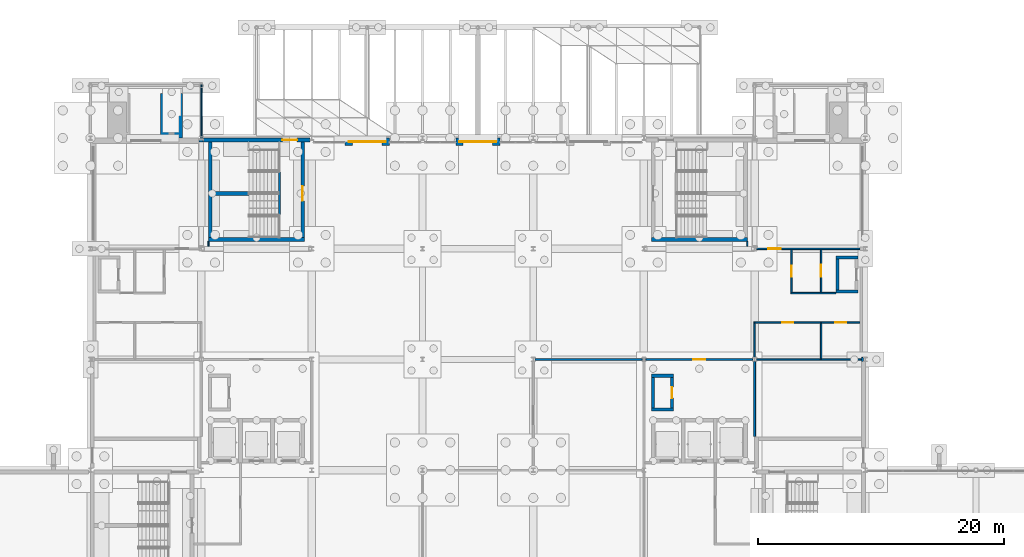
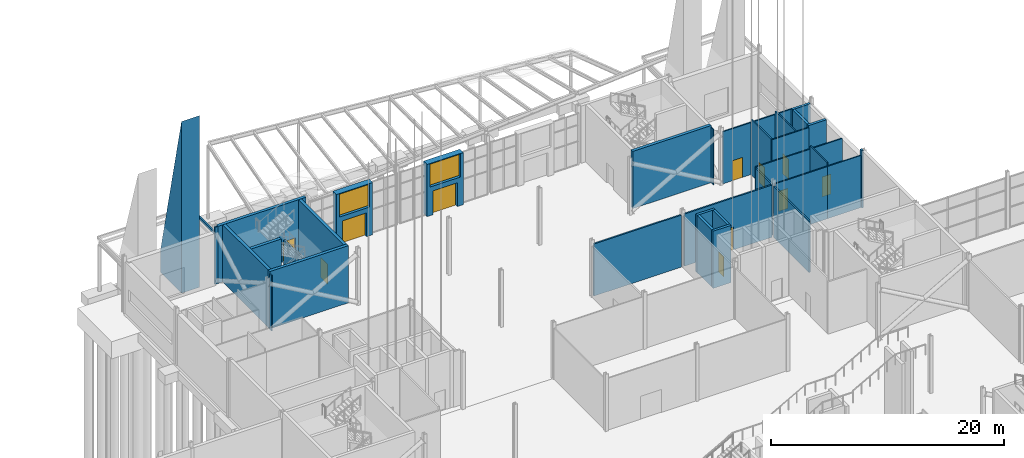
# One storey, part 110 of 139: 34 walls, 11 doors, 2 windows, 13 openings.
"""IFC4 building model written with IfcOpenShell, lengths in metres."""

from ifc_helpers import new_model, si_unit, direction, frame, frame_2d, origin, place, context, subcontext, project, spatial, polyline, rectangle, outline, extrude, material, layer, layer_set, type_object, element, fill, save


model = new_model("IFC4")

# Units and contexts
model_context = context("Model", 3, precision=1e-05, world=origin(), true_north=direction((0.0, 1.0)))
body_context = subcontext(model_context, "Body", "Model", "MODEL_VIEW")
ifc_project = project(units=[si_unit("LENGTHUNIT", "METRE"), si_unit("AREAUNIT", "SQUARE_METRE"), si_unit("VOLUMEUNIT", "CUBIC_METRE"), si_unit("PLANEANGLEUNIT", "RADIAN"), si_unit("MASSUNIT", "GRAM", prefix="KILO")], contexts=[model_context])

# Site, building, storey
site_placement = place(None, origin())
site = spatial("IfcSite", under=ifc_project, at=site_placement, CompositionType="ELEMENT")
building_placement = place(site_placement, origin())
building = spatial("IfcBuilding", under=site, at=building_placement, Name="Shorebreak Coast Museum", CompositionType="ELEMENT")
storey_placement = place(building_placement, origin())
storey = spatial("IfcBuildingStorey", under=building, at=storey_placement, Name="L00", CompositionType="ELEMENT", Elevation=0.0)

# Walls
ifc_material_1 = material(Name="Concrete N50 (50 MPa)", Category="concrete")
ifc_layer_1 = layer(ifc_material_1, 0.14990234375)
ifc_layer_set_1 = layer_set([ifc_layer_1], Name="Concrete N50 (50 MPa)")
wall_type_1 = type_object("IfcWallType", Name="Arcade roof upstand 150", PredefinedType="PARAPET", material=ifc_layer_set_1)
wall_1_placement = place(storey_placement, frame((63.02490234375, 117.0, 5.0), z_axis=(0.0, 0.0, 1.0), x_axis=(0.0, 1.0, 0.0)))
element("IfcWall", 1, at=wall_1_placement, inside=storey, type_object=wall_type_1, Name="Arcade roof upstand north 1 end 2", PredefinedType="PARAPET", context=body_context, shape_type="SweptSolid", body=[
    extrude(rectangle(XDim=4.35009765625, YDim=0.14990234375, at=frame_2d((2.175048828125, 0.0))), origin(), (0.0, 0.0, 1.0), 0.300048828125),
])
ifc_material_2 = material(Name="Concrete N50 (50 MPa)", Category="concrete")
ifc_layer_2 = layer(ifc_material_2, 1.800048828125)
ifc_layer_set_2 = layer_set([ifc_layer_2], Name="Concrete N50 (50 MPa)")
wall_type_2 = type_object("IfcWallType", Name="Buttress pier 1800", PredefinedType="SOLIDWALL", material=ifc_layer_set_2)
wall_2_placement = place(storey_placement, frame((60.60009765625, 117.02490234375, 0.0), z_axis=(0.0, 0.0, 1.0), x_axis=(0.0, 1.0, 0.0)))
element("IfcWall", 2, at=wall_2_placement, inside=storey, type_object=wall_type_2, Name="Buttress pier N30", PredefinedType="SOLIDWALL", context=body_context, shape_type="SweptSolid", body=[
    extrude(outline(polyline([(0.0, 0.0), (3.60009765625, 0.0), (3.60009765625, 2.39990234375), (0.0, 18.0), (0.0, 0.0)])), frame((0.0, 0.89990234375, 0.0), z_axis=(0.0, -1.0, 0.0), x_axis=(1.0, 0.0, 0.0)), (0.0, 0.0, 1.0), 1.800048828125),
])
ifc_material_3 = material(Name="Concrete N50 (50 MPa)", Category="concrete")
ifc_layer_3 = layer(ifc_material_3, 0.136474609375)
ifc_layer_set_3 = layer_set([ifc_layer_3], Name="Concrete N50 (50 MPa)")
wall_type_3 = type_object("IfcWallType", Name="Column closure panel 136", PredefinedType="SOLIDWALL", material=ifc_layer_set_3)
wall_3_placement = place(storey_placement, frame((62.83349609375, 116.768310546875, 0.0), z_axis=(0.0, 0.0, 1.0), x_axis=(1.0, 0.0, 0.0)))
element("IfcWall", 3, at=wall_3_placement, inside=storey, type_object=wall_type_3, Name="Column closure panel L00 N 8P", PredefinedType="SOLIDWALL", context=body_context, shape_type="SweptSolid", body=[
    extrude(rectangle(XDim=0.322021484375, YDim=0.136474609375, at=frame_2d((0.1611328125, 0.0))), origin(), (0.0, 0.0, 1.0), 6.0),
])
ifc_material_4 = material(Name="Concrete N50 (50 MPa)", Category="concrete")
ifc_layer_4 = layer(ifc_material_4, 0.1455078125)
ifc_layer_set_4 = layer_set([ifc_layer_4], Name="Concrete N50 (50 MPa)")
wall_type_4 = type_object("IfcWallType", Name="Column closure panel 146", PredefinedType="SOLIDWALL", material=ifc_layer_set_4)
wall_4_placement = place(storey_placement, frame((116.772705078125, 98.839599609375, 0.0), z_axis=(0.0, 0.0, 1.0), x_axis=(0.0, 1.0, 0.0)))
element("IfcWall", 4, at=wall_4_placement, inside=storey, type_object=wall_type_4, Name="Column closure panel L00 E 14M", PredefinedType="SOLIDWALL", context=body_context, shape_type="SweptSolid", body=[
    extrude(rectangle(XDim=0.322021484375, YDim=0.1455078125, at=frame_2d((0.1611328125, 0.0))), origin(), (0.0, 0.0, 1.0), 6.0),
])

# Wall, openings, door, window
ifc_material_5 = material(Name="Concrete N50 (50 MPa)", Category="concrete")
ifc_layer_5 = layer(ifc_material_5, 0.60009765625)
ifc_layer_set_5 = layer_set([ifc_layer_5], Name="Concrete N50 (50 MPa)")
wall_type_5 = type_object("IfcWallType", Name="Entrance portal panel 600", PredefinedType="SOLIDWALL", material=ifc_layer_set_5)
wall_5_placement = place(storey_placement, frame((74.699951171875, 116.699951171875, 0.0), z_axis=(0.0, 0.0, 1.0), x_axis=(1.0, 0.0, 0.0)))
wall_5 = element("IfcWall", 5, at=wall_5_placement, inside=storey, type_object=wall_type_5, Name="Entrance portal ENT-N", PredefinedType="SOLIDWALL", context=body_context, shape_type="SweptSolid", body=[
    extrude(rectangle(XDim=3.60009765625, YDim=0.60009765625, at=frame_2d((1.800048828125, 0.0))), origin(), (0.0, 0.0, 1.0), 5.46630859375),
])
opening_1_placement = place(wall_5_placement, frame((0.60009765625, 0.0, 0.0)))
opening_1 = element("IfcOpeningElement", 6, at=opening_1_placement, cuts=wall_5, Name="Opening D0909", PredefinedType="OPENING", context=body_context, shape_type="SweptSolid", body=[
    extrude(rectangle(XDim=2.39990234375, YDim=2.5, at=frame_2d((1.199951171875, 1.25))), frame((0.0, 0.31005859375, 0.0), z_axis=(0.0, -1.0, 0.0), x_axis=(1.0, 0.0, 0.0)), (0.0, 0.0, 1.0), 0.6201171875),
])
opening_2_placement = place(wall_5_placement, frame((0.300048828125, 0.0, 3.0)))
opening_2 = element("IfcOpeningElement", 7, at=opening_2_placement, cuts=wall_5, Name="Opening WN0015", PredefinedType="OPENING", context=body_context, shape_type="SweptSolid", body=[
    extrude(rectangle(XDim=3.0, YDim=2.39990234375, at=frame_2d((1.5, 1.199951171875))), frame((0.0, 0.31005859375, 0.0), z_axis=(0.0, -1.0, 0.0), x_axis=(1.0, 0.0, 0.0)), (0.0, 0.0, 1.0), 0.6201171875),
])
ifc_material_6 = material(Name="Aluminium", Category="aluminium")
door_type_1 = type_object("IfcDoorType", Name="Entrance automatic sliding pair 2400 x 2500", OperationType="DOUBLE_DOOR_SLIDING", PredefinedType="DOOR", material=ifc_material_6)
door_1_placement = place(opening_1_placement, origin())
door_1 = element("IfcDoor", 8, at=door_1_placement, inside=storey, type_object=door_type_1, Name="Main entrance ENT-N D0909", OperationType="DOUBLE_DOOR_SLIDING", OverallHeight=2.5, OverallWidth=2.39990234375, PredefinedType="DOOR", context=body_context, shape_type="SweptSolid", body=[
    extrude(rectangle(XDim=2.39990234375, YDim=2.5, at=frame_2d((1.199951171875, 1.25))), frame((0.0, 0.02490234375, 0.0), z_axis=(0.0, -1.0, 0.0), x_axis=(1.0, 0.0, 0.0)), (0.0, 0.0, 1.0), 0.050048828125),
])
fill(opening_1, door_1)
ifc_material_7 = material(Name="Aluminium", Category="aluminium")
window_type = type_object("IfcWindowType", Name="Entrance transom light 3000 x 2400", PartitioningType="SINGLE_PANEL", PredefinedType="WINDOW", material=ifc_material_7)
window_1_placement = place(opening_2_placement, origin())
window_1 = element("IfcWindow", 9, at=window_1_placement, inside=storey, type_object=window_type, Name="Window WN0015", OverallHeight=2.39990234375, OverallWidth=3.0, PartitioningType="SINGLE_PANEL", PredefinedType="WINDOW", context=body_context, shape_type="SweptSolid", body=[
    extrude(rectangle(XDim=3.0, YDim=2.39990234375, at=frame_2d((1.5, 1.199951171875))), frame((0.0, 0.030029296875, 0.0), z_axis=(0.0, -1.0, 0.0), x_axis=(1.0, 0.0, 0.0)), (0.0, 0.0, 1.0), 0.06005859375),
])
fill(opening_2, window_1)

wall_6_placement = place(storey_placement, frame((83.699951171875, 116.699951171875, 0.0), z_axis=(0.0, 0.0, 1.0), x_axis=(1.0, 0.0, 0.0)))
wall_6 = element("IfcWall", 10, at=wall_6_placement, inside=storey, type_object=wall_type_5, Name="Entrance portal ENT-N", PredefinedType="SOLIDWALL", context=body_context, shape_type="SweptSolid", body=[
    extrude(rectangle(XDim=3.60009765625, YDim=0.60009765625, at=frame_2d((1.800048828125, 0.0))), origin(), (0.0, 0.0, 1.0), 5.46630859375),
])
opening_3_placement = place(wall_6_placement, frame((0.60009765625, 0.0, 0.0)))
opening_3 = element("IfcOpeningElement", 11, at=opening_3_placement, cuts=wall_6, Name="Opening D0910", PredefinedType="OPENING", context=body_context, shape_type="SweptSolid", body=[
    extrude(rectangle(XDim=2.39990234375, YDim=2.5, at=frame_2d((1.199951171875, 1.25))), frame((0.0, 0.31005859375, 0.0), z_axis=(0.0, -1.0, 0.0), x_axis=(1.0, 0.0, 0.0)), (0.0, 0.0, 1.0), 0.6201171875),
])
opening_4_placement = place(wall_6_placement, frame((0.300048828125, 0.0, 3.0)))
opening_4 = element("IfcOpeningElement", 12, at=opening_4_placement, cuts=wall_6, Name="Opening WN0016", PredefinedType="OPENING", context=body_context, shape_type="SweptSolid", body=[
    extrude(rectangle(XDim=3.0, YDim=2.39990234375, at=frame_2d((1.5, 1.199951171875))), frame((0.0, 0.31005859375, 0.0), z_axis=(0.0, -1.0, 0.0), x_axis=(1.0, 0.0, 0.0)), (0.0, 0.0, 1.0), 0.6201171875),
])
door_2_placement = place(opening_3_placement, origin())
door_2 = element("IfcDoor", 13, at=door_2_placement, inside=storey, type_object=door_type_1, Name="Main entrance ENT-N D0910", OperationType="DOUBLE_DOOR_SLIDING", OverallHeight=2.5, OverallWidth=2.39990234375, PredefinedType="DOOR", context=body_context, shape_type="SweptSolid", body=[
    extrude(rectangle(XDim=2.39990234375, YDim=2.5, at=frame_2d((1.199951171875, 1.25))), frame((0.0, 0.02490234375, 0.0), z_axis=(0.0, -1.0, 0.0), x_axis=(1.0, 0.0, 0.0)), (0.0, 0.0, 1.0), 0.050048828125),
])
fill(opening_3, door_2)
window_2_placement = place(opening_4_placement, origin())
window_2 = element("IfcWindow", 14, at=window_2_placement, inside=storey, type_object=window_type, Name="Window WN0016", OverallHeight=2.39990234375, OverallWidth=3.0, PartitioningType="SINGLE_PANEL", PredefinedType="WINDOW", context=body_context, shape_type="SweptSolid", body=[
    extrude(rectangle(XDim=3.0, YDim=2.39990234375, at=frame_2d((1.5, 1.199951171875))), frame((0.0, 0.030029296875, 0.0), z_axis=(0.0, -1.0, 0.0), x_axis=(1.0, 0.0, 0.0)), (0.0, 0.0, 1.0), 0.06005859375),
])
fill(opening_4, window_2)

# Wall
ifc_material_8 = material(Name="Plasterboard on steel stud", Category="steel")
ifc_layer_6 = layer(ifc_material_8, 0.14990234375)
ifc_layer_set_6 = layer_set([ifc_layer_6], Name="Plasterboard on steel stud")
wall_type_6 = type_object("IfcWallType", Name="Fire partition 150", PredefinedType="PARTITIONING", material=ifc_layer_set_6)
wall_7_placement = place(storey_placement, frame((90.154541015625, 99.0, 0.0), z_axis=(0.0, 0.0, 1.0), x_axis=(1.0, 0.0, 0.0)))
element("IfcWall", 15, at=wall_7_placement, inside=storey, type_object=wall_type_6, Name="Partition L00-074", PredefinedType="PARTITIONING", context=body_context, shape_type="SweptSolid", body=[
    extrude(rectangle(XDim=8.69091796875, YDim=0.14990234375, at=frame_2d((4.345458984375, 0.0))), origin(), (0.0, 0.0, 1.0), 5.46630859375),
])

# Wall, opening, door
wall_8_placement = place(storey_placement, frame((99.154541015625, 99.0, 0.0), z_axis=(0.0, 0.0, 1.0), x_axis=(1.0, 0.0, 0.0)))
wall_8 = element("IfcWall", 16, at=wall_8_placement, inside=storey, type_object=wall_type_6, Name="Partition L00-075", PredefinedType="PARTITIONING", context=body_context, shape_type="SweptSolid", body=[
    extrude(rectangle(XDim=8.69091796875, YDim=0.14990234375, at=frame_2d((4.345458984375, 0.0))), origin(), (0.0, 0.0, 1.0), 5.46630859375),
])
opening_5_placement = place(wall_8_placement, frame((3.85009765625, 0.0, 0.0)))
opening_5 = element("IfcOpeningElement", 17, at=opening_5_placement, cuts=wall_8, Name="Opening D0047", PredefinedType="OPENING", context=body_context, shape_type="SweptSolid", body=[
    extrude(rectangle(XDim=1.0, YDim=2.39990234375, at=frame_2d((0.5, 1.199951171875))), frame((0.0, 0.0849609375, 0.0), z_axis=(0.0, -1.0, 0.0), x_axis=(1.0, 0.0, 0.0)), (0.0, 0.0, 1.0), 0.169921875),
])
ifc_material_9 = material(Name="Steel", Category="steel")
door_type_2 = type_object("IfcDoorType", Name="Fire door 1000x2400 60", OperationType="SINGLE_SWING_LEFT", PredefinedType="DOOR", material=ifc_material_9)
door_3_placement = place(opening_5_placement, origin())
door_3 = element("IfcDoor", 18, at=door_3_placement, inside=storey, type_object=door_type_2, Name="Door D0047 Lift Services Room E", OperationType="SINGLE_SWING_RIGHT", OverallHeight=2.39990234375, OverallWidth=1.0, PredefinedType="DOOR", context=body_context, shape_type="SweptSolid", body=[
    extrude(rectangle(XDim=1.0, YDim=2.39990234375, at=frame_2d((0.5, 1.199951171875))), frame((0.0, 0.02490234375, 0.0), z_axis=(0.0, -1.0, 0.0), x_axis=(1.0, 0.0, 0.0)), (0.0, 0.0, 1.0), 0.050048828125),
])
fill(opening_5, door_3)

# Walls
wall_9_placement = place(storey_placement, frame((108.0, 92.75, 0.0), z_axis=(0.0, 0.0, 1.0), x_axis=(0.0, 1.0, 0.0)))
element("IfcWall", 19, at=wall_9_placement, inside=storey, type_object=wall_type_6, Name="Partition L00-153", PredefinedType="PARTITIONING", context=body_context, shape_type="SweptSolid", body=[
    extrude(rectangle(XDim=6.089599609375, YDim=0.14990234375, at=frame_2d((3.044921875, 0.0))), origin(), (0.0, 0.0, 1.0), 5.364501953125),
])
ifc_material_10 = material(Name="Plasterboard on steel stud", Category="steel")
ifc_layer_7 = layer(ifc_material_10, 0.10009765625)
ifc_layer_set_7 = layer_set([ifc_layer_7], Name="Plasterboard on steel stud")
wall_type_7 = type_object("IfcWallType", Name="Partition 100", PredefinedType="PARTITIONING", material=ifc_layer_set_7)
for number, where, z_axis, x_axis, name in (
    (20, (63.60009765625, 108.219970703125, 0.0), (0.0, 0.0, 1.0), (0.0, 1.0, 0.0), "Partition L00-107"),
    (21, (107.39990234375, 108.219970703125, 0.0), (0.0, 0.0, 1.0), (0.0, 1.0, 0.0), "Partition L00-148"),
):
    element("IfcWall", number, at=place(storey_placement, frame(where, z_axis=z_axis, x_axis=x_axis)), inside=storey, type_object=wall_type_7, Name=name, PredefinedType="PARTITIONING", context=body_context, shape_type="SweptSolid", body=[
        extrude(rectangle(XDim=0.380126953125, YDim=0.10009765625, at=frame_2d((0.18994140625, 0.0))), origin(), (0.0, 0.0, 1.0), 5.824951171875),
    ])
ifc_material_11 = material(Name="Plasterboard on steel stud", Category="steel")
ifc_layer_8 = layer(ifc_material_11, 0.125)
ifc_layer_set_8 = layer_set([ifc_layer_8], Name="Plasterboard on steel stud")
wall_type_8 = type_object("IfcWallType", Name="Partition 125", PredefinedType="PARTITIONING", material=ifc_layer_set_8)
wall_10_placement = place(storey_placement, frame((108.154541015625, 99.0, 0.0), z_axis=(0.0, 0.0, 1.0), x_axis=(1.0, 0.0, 0.0)))
element("IfcWall", 22, at=wall_10_placement, inside=storey, type_object=wall_type_8, Name="Partition L00-076", PredefinedType="PARTITIONING", context=body_context, shape_type="SweptSolid", body=[
    extrude(rectangle(XDim=5.307373046875, YDim=0.125, at=frame_2d((2.65380859375, 0.0))), origin(), (0.0, 0.0, 1.0), 5.46630859375),
])
wall_11_placement = place(storey_placement, frame((113.337890625, 99.0, 0.0), z_axis=(0.0, 0.0, 1.0), x_axis=(1.0, 0.0, 0.0)))
element("IfcWall", 23, at=wall_11_placement, inside=storey, type_object=wall_type_8, Name="Partition L00-077", PredefinedType="PARTITIONING", context=body_context, shape_type="SweptSolid", body=[
    extrude(rectangle(XDim=3.31201171875, YDim=0.125, at=frame_2d((1.656005859375, 0.0))), origin(), (0.0, 0.0, 1.0), 5.46630859375),
])

# Wall, openings, doors
wall_12_placement = place(storey_placement, frame((107.9375, 102.0, 0.0), z_axis=(0.0, 0.0, 1.0), x_axis=(1.0, 0.0, 0.0)))
wall_12 = element("IfcWall", 24, at=wall_12_placement, inside=storey, type_object=wall_type_8, Name="Partition L00-079", PredefinedType="PARTITIONING", context=body_context, shape_type="SweptSolid", body=[
    extrude(rectangle(XDim=8.612548828125, YDim=0.125, at=frame_2d((4.30615234375, 0.0))), origin(), (0.0, 0.0, 1.0), 5.472900390625),
])
opening_6_placement = place(wall_12_placement, frame((6.612548828125, 0.0, 0.0)))
opening_6 = element("IfcOpeningElement", 25, at=opening_6_placement, cuts=wall_12, Name="Opening D0054", PredefinedType="OPENING", context=body_context, shape_type="SweptSolid", body=[
    extrude(rectangle(XDim=0.89990234375, YDim=2.10009765625, at=frame_2d((0.449951171875, 1.050048828125))), frame((0.0, 0.072509765625, 0.0), z_axis=(0.0, -1.0, 0.0), x_axis=(1.0, 0.0, 0.0)), (0.0, 0.0, 1.0), 0.14501953125),
])
opening_7_placement = place(wall_12_placement, frame((2.3125, 0.0, 0.0)))
opening_7 = element("IfcOpeningElement", 26, at=opening_7_placement, cuts=wall_12, Name="Opening D0055", PredefinedType="OPENING", context=body_context, shape_type="SweptSolid", body=[
    extrude(rectangle(XDim=0.89990234375, YDim=2.10009765625, at=frame_2d((0.449951171875, 1.050048828125))), frame((0.0, 0.072509765625, 0.0), z_axis=(0.0, -1.0, 0.0), x_axis=(1.0, 0.0, 0.0)), (0.0, 0.0, 1.0), 0.14501953125),
])
ifc_material_12 = material(Name="Timber", Category="wood")
door_type_3 = type_object("IfcDoorType", Name="Interior door 900x2100", OperationType="SINGLE_SWING_LEFT", PredefinedType="DOOR", material=ifc_material_12)
door_4_placement = place(opening_6_placement, origin())
door_4 = element("IfcDoor", 27, at=door_4_placement, inside=storey, type_object=door_type_3, Name="Door D0054 Accessible WC N2", OperationType="SINGLE_SWING_LEFT", OverallHeight=2.10009765625, OverallWidth=0.89990234375, PredefinedType="DOOR", context=body_context, shape_type="SweptSolid", body=[
    extrude(rectangle(XDim=0.89990234375, YDim=2.10009765625, at=frame_2d((0.449951171875, 1.050048828125))), frame((0.0, 0.02490234375, 0.0), z_axis=(0.0, -1.0, 0.0), x_axis=(1.0, 0.0, 0.0)), (0.0, 0.0, 1.0), 0.050048828125),
])
fill(opening_6, door_4)
door_5_placement = place(opening_7_placement, origin())
door_5 = element("IfcDoor", 28, at=door_5_placement, inside=storey, type_object=door_type_3, Name="Door D0055 Male WC N2", OperationType="SINGLE_SWING_LEFT", OverallHeight=2.10009765625, OverallWidth=0.89990234375, PredefinedType="DOOR", context=body_context, shape_type="SweptSolid", body=[
    extrude(rectangle(XDim=0.89990234375, YDim=2.10009765625, at=frame_2d((0.449951171875, 1.050048828125))), frame((0.0, 0.02490234375, 0.0), z_axis=(0.0, -1.0, 0.0), x_axis=(1.0, 0.0, 0.0)), (0.0, 0.0, 1.0), 0.050048828125),
])
fill(opening_7, door_5)

# Wall
wall_13_placement = place(storey_placement, frame((110.9375, 104.39990234375, 0.0), z_axis=(0.0, 0.0, 1.0), x_axis=(1.0, 0.0, 0.0)))
element("IfcWall", 29, at=wall_13_placement, inside=storey, type_object=wall_type_8, Name="Partition L00-081", PredefinedType="PARTITIONING", context=body_context, shape_type="SweptSolid", body=[
    extrude(rectangle(XDim=3.66259765625, YDim=0.125, at=frame_2d((1.831298828125, 0.0))), origin(), (0.0, 0.0, 1.0), 5.824951171875),
])

# Wall, opening, door
wall_14_placement = place(storey_placement, frame((108.154541015625, 108.0, 0.0), z_axis=(0.0, 0.0, 1.0), x_axis=(1.0, 0.0, 0.0)))
wall_14 = element("IfcWall", 30, at=wall_14_placement, inside=storey, type_object=wall_type_8, Name="Partition L00-083", PredefinedType="PARTITIONING", context=body_context, shape_type="SweptSolid", body=[
    extrude(rectangle(XDim=8.3955078125, YDim=0.125, at=frame_2d((4.19775390625, 0.0))), origin(), (0.0, 0.0, 1.0), 5.46630859375),
])
opening_8_placement = place(wall_14_placement, frame((0.949951171875, 0.0, 0.0)))
opening_8 = element("IfcOpeningElement", 31, at=opening_8_placement, cuts=wall_14, Name="Opening D0057", PredefinedType="OPENING", context=body_context, shape_type="SweptSolid", body=[
    extrude(rectangle(XDim=1.0, YDim=2.10009765625, at=frame_2d((0.5, 1.050048828125))), frame((0.0, 0.072509765625, 0.0), z_axis=(0.0, -1.0, 0.0), x_axis=(1.0, 0.0, 0.0)), (0.0, 0.0, 1.0), 0.14501953125),
])
ifc_material_13 = material(Name="Timber", Category="wood")
door_type_4 = type_object("IfcDoorType", Name="Interior door 1000x2100", OperationType="SINGLE_SWING_LEFT", PredefinedType="DOOR", material=ifc_material_13)
door_6_placement = place(opening_8_placement, origin())
door_6 = element("IfcDoor", 32, at=door_6_placement, inside=storey, type_object=door_type_4, Name="Door D0057 Services Store 0.04", OperationType="SINGLE_SWING_RIGHT", OverallHeight=2.10009765625, OverallWidth=1.0, PredefinedType="DOOR", context=body_context, shape_type="SweptSolid", body=[
    extrude(rectangle(XDim=1.0, YDim=2.10009765625, at=frame_2d((0.5, 1.050048828125))), frame((0.0, 0.02490234375, 0.0), z_axis=(0.0, -1.0, 0.0), x_axis=(1.0, 0.0, 0.0)), (0.0, 0.0, 1.0), 0.050048828125),
])
fill(opening_8, door_6)

# Wall
wall_15_placement = place(storey_placement, frame((108.0, 99.160400390625, 0.0), z_axis=(0.0, 0.0, 1.0), x_axis=(0.0, 1.0, 0.0)))
element("IfcWall", 33, at=wall_15_placement, inside=storey, type_object=wall_type_8, Name="Partition L00-154", PredefinedType="PARTITIONING", context=body_context, shape_type="SweptSolid", body=[
    extrude(rectangle(XDim=2.777099609375, YDim=0.125, at=frame_2d((1.388671875, 0.0))), origin(), (0.0, 0.0, 1.0), 5.364501953125),
])

# Wall, opening, door
wall_16_placement = place(storey_placement, frame((111.0, 104.46240234375, 0.0), z_axis=(0.0, 0.0, 1.0), x_axis=(0.0, 1.0, 0.0)))
wall_16 = element("IfcWall", 34, at=wall_16_placement, inside=storey, type_object=wall_type_8, Name="Partition L00-158", PredefinedType="PARTITIONING", context=body_context, shape_type="SweptSolid", body=[
    extrude(rectangle(XDim=3.47509765625, YDim=0.125, at=frame_2d((1.737548828125, 0.0))), origin(), (0.0, 0.0, 1.0), 5.824951171875),
])
opening_9_placement = place(wall_16_placement, frame((1.25, 0.0, 0.0)))
opening_9 = element("IfcOpeningElement", 35, at=opening_9_placement, cuts=wall_16, Name="Opening D0053", PredefinedType="OPENING", context=body_context, shape_type="SweptSolid", body=[
    extrude(rectangle(XDim=0.89990234375, YDim=2.10009765625, at=frame_2d((0.449951171875, 1.050048828125))), frame((0.0, 0.072509765625, 0.0), z_axis=(0.0, -1.0, 0.0), x_axis=(1.0, 0.0, 0.0)), (0.0, 0.0, 1.0), 0.14501953125),
])
door_7_placement = place(opening_9_placement, origin())
door_7 = element("IfcDoor", 36, at=door_7_placement, inside=storey, type_object=door_type_3, Name="Door D0053 Female WC N2", OperationType="SINGLE_SWING_LEFT", OverallHeight=2.10009765625, OverallWidth=0.89990234375, PredefinedType="DOOR", context=body_context, shape_type="SweptSolid", body=[
    extrude(rectangle(XDim=0.89990234375, YDim=2.10009765625, at=frame_2d((0.449951171875, 1.050048828125))), frame((0.0, 0.02490234375, 0.0), z_axis=(0.0, -1.0, 0.0), x_axis=(1.0, 0.0, 0.0)), (0.0, 0.0, 1.0), 0.050048828125),
])
fill(opening_9, door_7)

# Wall
wall_17_placement = place(storey_placement, frame((113.39990234375, 99.0625, 0.0), z_axis=(0.0, 0.0, 1.0), x_axis=(0.0, 1.0, 0.0)))
element("IfcWall", 37, at=wall_17_placement, inside=storey, type_object=wall_type_8, Name="Partition L00-159", PredefinedType="PARTITIONING", context=body_context, shape_type="SweptSolid", body=[
    extrude(rectangle(XDim=2.875, YDim=0.125, at=frame_2d((1.4375, 0.0))), origin(), (0.0, 0.0, 1.0), 5.824951171875),
])

# Wall, opening, door
wall_18_placement = place(storey_placement, frame((113.39990234375, 104.46240234375, 0.0), z_axis=(0.0, 0.0, 1.0), x_axis=(0.0, 1.0, 0.0)))
wall_18 = element("IfcWall", 38, at=wall_18_placement, inside=storey, type_object=wall_type_8, Name="Partition L00-160", PredefinedType="PARTITIONING", context=body_context, shape_type="SweptSolid", body=[
    extrude(rectangle(XDim=3.47509765625, YDim=0.125, at=frame_2d((1.737548828125, 0.0))), origin(), (0.0, 0.0, 1.0), 5.824951171875),
])
opening_10_placement = place(wall_18_placement, frame((1.25, 0.0, 0.0)))
opening_10 = element("IfcOpeningElement", 39, at=opening_10_placement, cuts=wall_18, Name="Opening D0052", PredefinedType="OPENING", context=body_context, shape_type="SweptSolid", body=[
    extrude(rectangle(XDim=1.0, YDim=2.10009765625, at=frame_2d((0.5, 1.050048828125))), frame((0.0, 0.072509765625, 0.0), z_axis=(0.0, -1.0, 0.0), x_axis=(1.0, 0.0, 0.0)), (0.0, 0.0, 1.0), 0.14501953125),
])
door_8_placement = place(opening_10_placement, origin())
door_8 = element("IfcDoor", 40, at=door_8_placement, inside=storey, type_object=door_type_4, Name="Door D0052 Cleaner Store N2", OperationType="SINGLE_SWING_RIGHT", OverallHeight=2.10009765625, OverallWidth=1.0, PredefinedType="DOOR", context=body_context, shape_type="SweptSolid", body=[
    extrude(rectangle(XDim=1.0, YDim=2.10009765625, at=frame_2d((0.5, 1.050048828125))), frame((0.0, 0.02490234375, 0.0), z_axis=(0.0, -1.0, 0.0), x_axis=(1.0, 0.0, 0.0)), (0.0, 0.0, 1.0), 0.050048828125),
])
fill(opening_10, door_8)

# Walls
ifc_material_14 = material(Name="Concrete N50 (50 MPa)", Category="concrete")
ifc_layer_9 = layer(ifc_material_14, 0.25)
ifc_layer_set_9 = layer_set([ifc_layer_9], Name="Concrete N50 (50 MPa)")
wall_type_9 = type_object("IfcWallType", Name="RC riser wall 250", PredefinedType="STANDARD", material=ifc_layer_set_9)
for number, where, z_axis, x_axis, name in (
    (41, (114.60009765625, 104.52490234375, 0.0), (0.0, 0.0, 1.0), (1.0, 0.0, 0.0), "Riser wall R-WC-N2 L00 S"),
    (42, (114.60009765625, 107.27490234375, 0.0), (0.0, 0.0, 1.0), (1.0, 0.0, 0.0), "Riser wall R-WC-N2 L00 N"),
):
    element("IfcWall", number, at=place(storey_placement, frame(where, z_axis=z_axis, x_axis=x_axis)), inside=storey, type_object=wall_type_9, Name=name, PredefinedType="STANDARD", context=body_context, shape_type="SweptSolid", body=[
        extrude(rectangle(XDim=1.7998046875, YDim=0.25, at=frame_2d((0.89990234375, 0.0))), origin(), (0.0, 0.0, 1.0), 6.0),
    ])
wall_19_placement = place(storey_placement, frame((114.72509765625, 104.64990234375, 0.0), z_axis=(0.0, 0.0, 1.0), x_axis=(0.0, 1.0, 0.0)))
element("IfcWall", 43, at=wall_19_placement, inside=storey, type_object=wall_type_9, Name="Riser wall R-WC-N2 L00 W", PredefinedType="STANDARD", context=body_context, shape_type="SweptSolid", body=[
    extrude(rectangle(XDim=2.5, YDim=0.25, at=frame_2d((1.25, 0.0))), origin(), (0.0, 0.0, 1.0), 6.0),
])
for number, where, z_axis, x_axis, name in (
    (44, (99.60009765625, 94.925048828125, 0.0), (0.0, 0.0, 1.0), (1.0, 0.0, 0.0), "Riser wall R-LBE L00 S"),
    (45, (99.60009765625, 97.675048828125, 0.0), (0.0, 0.0, 1.0), (1.0, 0.0, 0.0), "Riser wall R-LBE L00 N"),
):
    element("IfcWall", number, at=place(storey_placement, frame(where, z_axis=z_axis, x_axis=x_axis)), inside=storey, type_object=wall_type_9, Name=name, PredefinedType="STANDARD", context=body_context, shape_type="SweptSolid", body=[
        extrude(rectangle(XDim=1.7998046875, YDim=0.25, at=frame_2d((0.89990234375, 0.0))), origin(), (0.0, 0.0, 1.0), 6.0),
    ])
wall_20_placement = place(storey_placement, frame((99.72509765625, 95.050048828125, 0.0), z_axis=(0.0, 0.0, 1.0), x_axis=(0.0, 1.0, 0.0)))
element("IfcWall", 46, at=wall_20_placement, inside=storey, type_object=wall_type_9, Name="Riser wall R-LBE L00 W", PredefinedType="STANDARD", context=body_context, shape_type="SweptSolid", body=[
    extrude(rectangle(XDim=2.5, YDim=0.25, at=frame_2d((1.25, 0.0))), origin(), (0.0, 0.0, 1.0), 6.0),
])

# Wall, opening, door
wall_21_placement = place(storey_placement, frame((101.27490234375, 95.050048828125, 0.0), z_axis=(0.0, 0.0, 1.0), x_axis=(0.0, 1.0, 0.0)))
wall_21 = element("IfcWall", 47, at=wall_21_placement, inside=storey, type_object=wall_type_9, Name="Riser wall R-LBE L00 E", PredefinedType="STANDARD", context=body_context, shape_type="SweptSolid", body=[
    extrude(rectangle(XDim=2.5, YDim=0.25, at=frame_2d((1.25, 0.0))), origin(), (0.0, 0.0, 1.0), 6.0),
])
opening_11_placement = place(wall_21_placement, frame((0.800048828125, 0.0, 0.0)))
opening_11 = element("IfcOpeningElement", 48, at=opening_11_placement, cuts=wall_21, Name="Opening D0607", PredefinedType="OPENING", context=body_context, shape_type="SweptSolid", body=[
    extrude(rectangle(XDim=0.89990234375, YDim=2.10009765625, at=frame_2d((0.449951171875, 1.050048828125))), frame((0.0, 0.135009765625, 0.0), z_axis=(0.0, -1.0, 0.0), x_axis=(1.0, 0.0, 0.0)), (0.0, 0.0, 1.0), 0.27001953125),
])
ifc_material_15 = material(Name="Steel Grade 300", Category="steel")
door_type_5 = type_object("IfcDoorType", Name="Riser door 900x2100", OperationType="SINGLE_SWING_LEFT", PredefinedType="DOOR", material=ifc_material_15)
door_9_placement = place(opening_11_placement, origin())
door_9 = element("IfcDoor", 49, at=door_9_placement, inside=storey, type_object=door_type_5, Name="Riser door R-LBE L00", OperationType="SINGLE_SWING_RIGHT", OverallHeight=2.10009765625, OverallWidth=0.89990234375, PredefinedType="DOOR", context=body_context, shape_type="SweptSolid", body=[
    extrude(rectangle(XDim=0.89990234375, YDim=2.10009765625, at=frame_2d((0.449951171875, 1.050048828125))), frame((0.0, 0.02490234375, 0.0), z_axis=(0.0, -1.0, 0.0), x_axis=(1.0, 0.0, 0.0)), (0.0, 0.0, 1.0), 0.050048828125),
])
fill(opening_11, door_9)

# Wall
ifc_material_16 = material(Name="Concrete N50 (50 MPa)", Category="concrete")
ifc_layer_10 = layer(ifc_material_16, 0.300048828125)
ifc_layer_set_10 = layer_set([ifc_layer_10], Name="Concrete N50 (50 MPa)")
wall_type_10 = type_object("IfcWallType", Name="RC wall 300", PredefinedType="SHEAR", material=ifc_layer_set_10)
wall_22_placement = place(storey_placement, frame((63.60009765625, 108.75, 0.0), z_axis=(0.0, 0.0, 1.0), x_axis=(1.0, 0.0, 0.0)))
element("IfcWall", 50, at=wall_22_placement, inside=storey, type_object=wall_type_10, Name="Stair core wall ST09 L00 S", PredefinedType="SHEAR", context=body_context, shape_type="SweptSolid", body=[
    extrude(rectangle(XDim=7.7998046875, YDim=0.300048828125, at=frame_2d((3.89990234375, 0.0))), origin(), (0.0, 0.0, 1.0), 6.0),
])

# Wall, opening, door
wall_23_placement = place(storey_placement, frame((63.155517578125, 116.85009765625, 0.0), z_axis=(0.0, 0.0, 1.0), x_axis=(1.0, 0.0, 0.0)))
wall_23 = element("IfcWall", 51, at=wall_23_placement, inside=storey, type_object=wall_type_10, Name="Stair core wall ST09 L00 N", PredefinedType="SHEAR", context=body_context, shape_type="SweptSolid", body=[
    extrude(rectangle(XDim=8.68896484375, YDim=0.300048828125, at=frame_2d((4.344482421875, 0.0))), origin(), (0.0, 0.0, 1.0), 6.0),
])
opening_12_placement = place(wall_23_placement, frame((6.444580078125, 0.0, 0.0)))
opening_12 = element("IfcOpeningElement", 52, at=opening_12_placement, cuts=wall_23, Name="Opening D0709", PredefinedType="OPENING", context=body_context, shape_type="SweptSolid", body=[
    extrude(rectangle(XDim=1.199951171875, YDim=2.10009765625, at=frame_2d((0.60009765625, 1.050048828125))), frame((0.0, 0.159912109375, 0.0), z_axis=(0.0, -1.0, 0.0), x_axis=(1.0, 0.0, 0.0)), (0.0, 0.0, 1.0), 0.320068359375),
])
ifc_material_17 = material(Name="Steel Grade 300", Category="steel")
door_type_6 = type_object("IfcDoorType", Name="Exit door 1200x2100", OperationType="SINGLE_SWING_LEFT", PredefinedType="DOOR", material=ifc_material_17)
door_10_placement = place(opening_12_placement, origin())
door_10 = element("IfcDoor", 53, at=door_10_placement, inside=storey, type_object=door_type_6, Name="Exit door ST09", OperationType="SINGLE_SWING_RIGHT", OverallHeight=2.10009765625, OverallWidth=1.199951171875, PredefinedType="DOOR", context=body_context, shape_type="SweptSolid", body=[
    extrude(rectangle(XDim=1.199951171875, YDim=2.10009765625, at=frame_2d((0.60009765625, 1.050048828125))), frame((0.0, 0.02490234375, 0.0), z_axis=(0.0, -1.0, 0.0), x_axis=(1.0, 0.0, 0.0)), (0.0, 0.0, 1.0), 0.050048828125),
])
fill(opening_12, door_10)

# Wall
wall_24_placement = place(storey_placement, frame((63.75, 108.89990234375, 0.0), z_axis=(0.0, 0.0, 1.0), x_axis=(0.0, 1.0, 0.0)))
element("IfcWall", 54, at=wall_24_placement, inside=storey, type_object=wall_type_10, Name="Stair core wall ST09 L00 W", PredefinedType="SHEAR", context=body_context, shape_type="SweptSolid", body=[
    extrude(rectangle(XDim=7.800048828125, YDim=0.300048828125, at=frame_2d((3.89990234375, 0.0))), origin(), (0.0, 0.0, 1.0), 6.0),
])

# Wall, opening, door
wall_25_placement = place(storey_placement, frame((71.25, 108.89990234375, 0.0), z_axis=(0.0, 0.0, 1.0), x_axis=(0.0, 1.0, 0.0)))
wall_25 = element("IfcWall", 55, at=wall_25_placement, inside=storey, type_object=wall_type_10, Name="Stair core wall ST09 L00 E", PredefinedType="SHEAR", context=body_context, shape_type="SweptSolid", body=[
    extrude(rectangle(XDim=7.800048828125, YDim=0.300048828125, at=frame_2d((3.89990234375, 0.0))), origin(), (0.0, 0.0, 1.0), 6.0),
])
opening_13_placement = place(wall_25_placement, frame((3.0, 0.0, 0.0)))
opening_13 = element("IfcOpeningElement", 56, at=opening_13_placement, cuts=wall_25, Name="Opening D0809", PredefinedType="OPENING", context=body_context, shape_type="SweptSolid", body=[
    extrude(rectangle(XDim=1.199951171875, YDim=2.10009765625, at=frame_2d((0.60009765625, 1.050048828125))), frame((0.0, 0.159912109375, 0.0), z_axis=(0.0, -1.0, 0.0), x_axis=(1.0, 0.0, 0.0)), (0.0, 0.0, 1.0), 0.320068359375),
])
ifc_material_18 = material(Name="Steel Grade 300", Category="steel")
door_type_7 = type_object("IfcDoorType", Name="Fire door 1200x2100", OperationType="SINGLE_SWING_LEFT", PredefinedType="DOOR", material=ifc_material_18)
door_11_placement = place(opening_13_placement, origin())
door_11 = element("IfcDoor", 57, at=door_11_placement, inside=storey, type_object=door_type_7, Name="Stair door ST09 L00", OperationType="SINGLE_SWING_RIGHT", OverallHeight=2.10009765625, OverallWidth=1.199951171875, PredefinedType="DOOR", context=body_context, shape_type="SweptSolid", body=[
    extrude(rectangle(XDim=1.199951171875, YDim=2.10009765625, at=frame_2d((0.60009765625, 1.050048828125))), frame((0.0, 0.02490234375, 0.0), z_axis=(0.0, -1.0, 0.0), x_axis=(1.0, 0.0, 0.0)), (0.0, 0.0, 1.0), 0.050048828125),
])
fill(opening_13, door_11)

# Walls
wall_26_placement = place(storey_placement, frame((99.60009765625, 108.75, 0.0), z_axis=(0.0, 0.0, 1.0), x_axis=(1.0, 0.0, 0.0)))
element("IfcWall", 58, at=wall_26_placement, inside=storey, type_object=wall_type_10, Name="Stair core wall ST10 L00 S", PredefinedType="SHEAR", context=body_context, shape_type="SweptSolid", body=[
    extrude(rectangle(XDim=7.7998046875, YDim=0.300048828125, at=frame_2d((3.89990234375, 0.0))), origin(), (0.0, 0.0, 1.0), 6.0),
])
wall_27_placement = place(storey_placement, frame((66.89990234375, 112.5, 0.0), z_axis=(0.0, 0.0, 1.0), x_axis=(-1.0, 0.0, 0.0)))
element("IfcWall", 59, at=wall_27_placement, inside=storey, type_object=wall_type_10, Name="Stair spine wall ST09 L00", PredefinedType="SHEAR", context=body_context, shape_type="SweptSolid", body=[
    extrude(rectangle(XDim=3.0, YDim=0.300048828125, at=frame_2d((1.5, 0.0))), origin(), (0.0, 0.0, 1.0), 6.0),
])
ifc_material_19 = material(Name="Concrete N50 (50 MPa)", Category="concrete")
ifc_layer_11 = layer(ifc_material_19, 0.14990234375)
ifc_layer_set_11 = layer_set([ifc_layer_11], Name="Concrete N50 (50 MPa)")
wall_type_11 = type_object("IfcWallType", Name="Understair wall 150", PredefinedType="STANDARD", material=ifc_layer_set_11)
wall_28_placement = place(storey_placement, frame((69.375, 110.699951171875, 0.0), z_axis=(0.0, 0.0, 1.0), x_axis=(0.0, 1.0, 0.0)))
element("IfcWall", 60, at=wall_28_placement, inside=storey, type_object=wall_type_11, Name="Understair wall ST09 L00 floor", PredefinedType="STANDARD", context=body_context, shape_type="SweptSolid", body=[
    extrude(rectangle(XDim=5.400146484375, YDim=0.14990234375, at=frame_2d((2.7001953125, 0.0))), origin(), (0.0, 0.0, 1.0), 2.800048828125),
])

save(model, "model.ifc")
